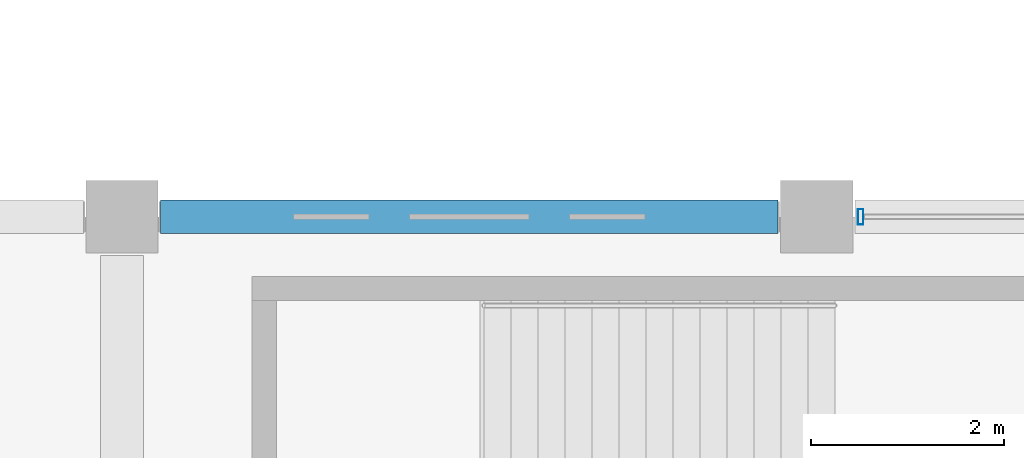
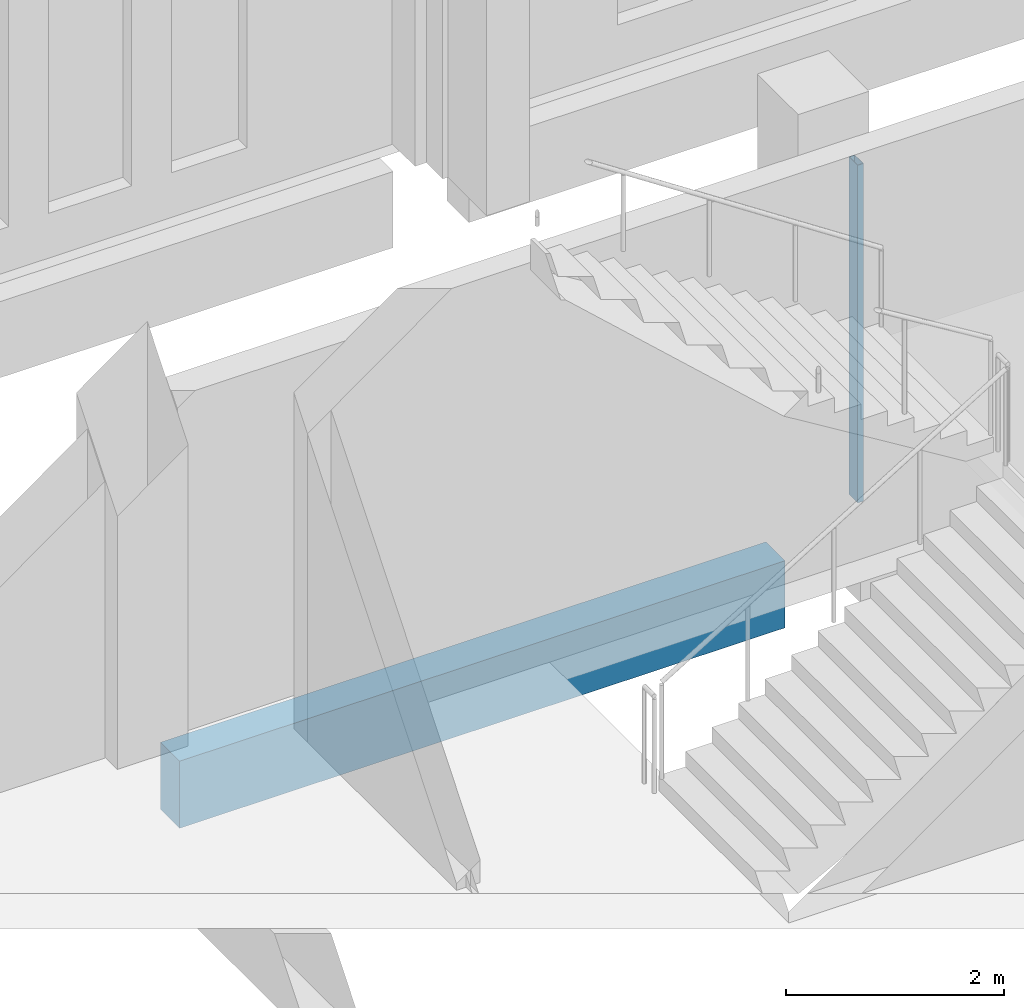
# One storey, part 73 of 193: 1 beam, 1 member, 1 element without a shape of its own.
"""IFC4 building model written with IfcOpenShell, lengths in metres."""

from ifc_helpers import new_model, si_unit, direction, frame, origin, origin_2d, place, context, subcontext, project, spatial, rectangle, hollow_rectangle, extrude, material, material_profile, profile_set, type_object, element, aggregate, save


model = new_model("IFC4")

# Units and contexts
model_context = context("Model", 3, precision=1e-05, world=origin(), true_north=direction((0.0, 1.0)))
body_context = subcontext(model_context, "Body", "Model", "MODEL_VIEW")
ifc_project = project(units=[si_unit("LENGTHUNIT", "METRE"), si_unit("AREAUNIT", "SQUARE_METRE"), si_unit("VOLUMEUNIT", "CUBIC_METRE"), si_unit("PLANEANGLEUNIT", "RADIAN"), si_unit("MASSUNIT", "GRAM", prefix="KILO")], contexts=[model_context])

# Site, building, storey
site_placement = place(None, origin())
site = spatial("IfcSite", under=ifc_project, at=site_placement, CompositionType="ELEMENT")
building_placement = place(site_placement, origin())
building = spatial("IfcBuilding", under=site, at=building_placement, Name="Cendralis Lancet Convention Centre", CompositionType="ELEMENT")
storey_placement = place(building_placement, frame((0.0, 0.0, 10.199951171875)))
storey = spatial("IfcBuildingStorey", under=building, at=storey_placement, Name="L02", CompositionType="ELEMENT", Elevation=10.199951171875)

# Curtain wall, member
ifc_material_1 = material(Name="Anodised bronze architectural aluminium", Category="aluminium")
curtain_wall_type = type_object("IfcCurtainWallType", Name="ARC-CW-CL02", PredefinedType="USERDEFINED", material=ifc_material_1)
curtain_wall_placement = place(storey_placement, origin())
curtain_wall = element("IfcCurtainWall", 1, at=curtain_wall_placement, inside=storey, type_object=curtain_wall_type, Name="L02 Curtain Wall CW-CL2 #186", ObjectType="CURTAIN WALL", PredefinedType="USERDEFINED")
ifc_material_profile_1 = material_profile(ifc_material_1, hollow_rectangle(XDim=0.06005859375, YDim=0.159912109375, WallThickness=0.00390625, at=origin_2d()), Name="AL-MULL 60x160x4.0")
ifc_profile_set_1 = profile_set([ifc_material_profile_1], Name="Anodised bronze architectural aluminium")
member_type = type_object("IfcMemberType", Name="ARC-CW-ML01", PredefinedType="MULLION", material=ifc_profile_set_1)
member_placement = place(storey_placement, frame((175.655029296875, 36.0, 0.0), z_axis=(0.0, 0.0, 1.0), x_axis=(1.0, 0.0, 0.0)))
member = element("IfcMember", 2, at=member_placement, type_object=member_type, Name="Mullion CW2-CW-CL2-L02-186-M0", PredefinedType="MULLION", context=body_context, shape_type="SweptSolid", body=[
    extrude(hollow_rectangle(XDim=0.06005859375, YDim=0.159912109375, WallThickness=0.00390625, at=origin_2d()), origin(), (0.0, 0.0, 1.0), 3.775146484375),
])
aggregate(curtain_wall, [member])

# Beam
ifc_material_2 = material(Name="Concrete G40 (C40/50)", Category="concrete")
ifc_material_profile_2 = material_profile(ifc_material_2, rectangle(XDim=0.35009765625, YDim=0.75, at=origin_2d()), Name="RCB 350x750")
ifc_profile_set_2 = profile_set([ifc_material_profile_2], Name="Concrete G40 (C40/50)")
beam_type = type_object("IfcBeamType", Name="STR-SP-SP01", PredefinedType="SPANDREL", material=ifc_profile_set_2)
beam_placement = place(storey_placement, frame((168.39990234375, 36.0, -0.675048828125), z_axis=(1.0, 0.0, 0.0), x_axis=(0.0, 1.0, 0.0)))
element("IfcBeam", 3, at=beam_placement, inside=storey, type_object=beam_type, Name="L02 Beam SP01 #0298", PredefinedType="SPANDREL", context=body_context, shape_type="SweptSolid", body=[
    extrude(rectangle(XDim=0.35009765625, YDim=0.75, at=origin_2d()), origin(), (0.0, 0.0, 1.0), 6.400146484375),
])

save(model, "model.ifc")
